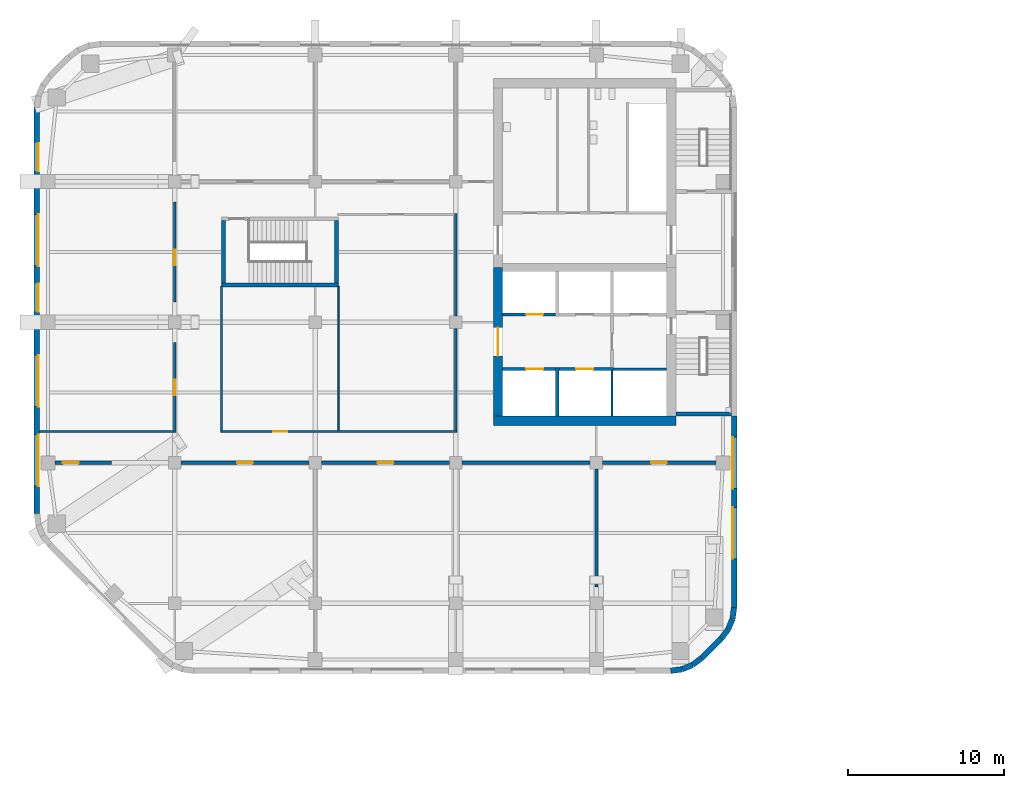
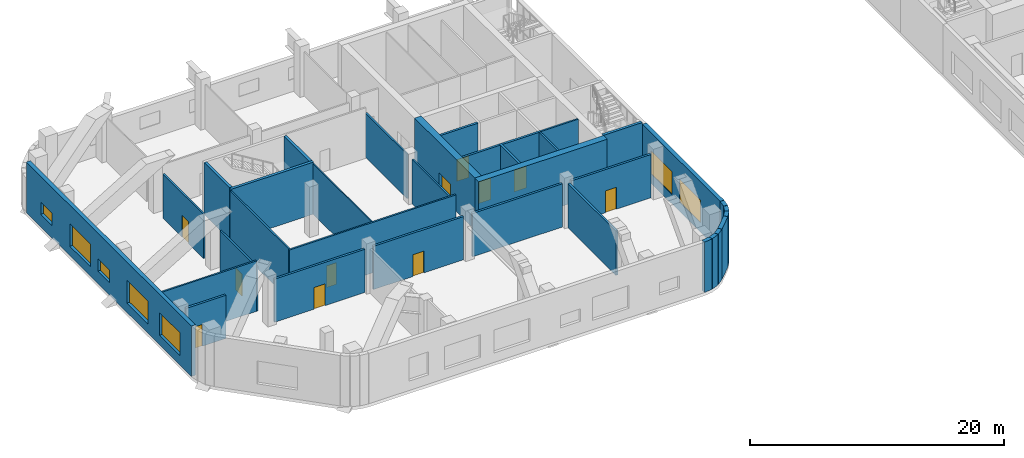
# One storey, part 12 of 23: 35 walls, 11 doors, 7 windows, 18 openings.
"""IFC4 building model written with IfcOpenShell, lengths in metres."""

from ifc_helpers import new_model, si_unit, direction, frame, frame_2d, origin, place, context, subcontext, project, spatial, rectangle, extrude, material, layer, layer_set, type_object, element, fill, save


model = new_model("IFC4")

# Units and contexts
model_context = context("Model", 3, precision=1e-05, world=origin(), true_north=direction((0.0, 1.0)))
body_context = subcontext(model_context, "Body", "Model", "MODEL_VIEW")
ifc_project = project(units=[si_unit("LENGTHUNIT", "METRE"), si_unit("AREAUNIT", "SQUARE_METRE"), si_unit("VOLUMEUNIT", "CUBIC_METRE"), si_unit("PLANEANGLEUNIT", "RADIAN"), si_unit("MASSUNIT", "GRAM", prefix="KILO")], contexts=[model_context])

# Site, building, storey
site_placement = place(None, origin())
site = spatial("IfcSite", under=ifc_project, at=site_placement, CompositionType="ELEMENT")
building_placement = place(site_placement, origin())
building = spatial("IfcBuilding", under=site, at=building_placement, Name="Cinnabar Reach Civic Tower", CompositionType="ELEMENT")
storey_placement = place(building_placement, frame((0.0, 0.0, 46.0)))
storey = spatial("IfcBuildingStorey", under=building, at=storey_placement, Name="L10", CompositionType="ELEMENT", Elevation=46.0)

# Walls
ifc_material_1 = material(Name="Facing brick with insulated backing", Category="masonry")
ifc_layer_1 = layer(ifc_material_1, 0.36)
ifc_layer_set_1 = layer_set([ifc_layer_1], Name="Brick corner wall")
wall_type_1 = type_object("IfcWallType", Name="Brick corner wall", PredefinedType="STANDARD", material=ifc_layer_set_1)
for number, where, z_axis, x_axis, name in (
    (1, (-31.2314, 4.683, 0.0), (0.0, 0.0, 1.0), (0.99144092581, 0.13055608231, 0.0), "Brick corner wall"),
    (2, (-30.5027, 4.7819, 0.0), (0.0, 0.0, 1.0), (0.923871547278, 0.382702709855, 0.0), "Brick corner wall"),
):
    element("IfcWall", number, at=place(storey_placement, frame(where, z_axis=z_axis, x_axis=x_axis)), inside=storey, type_object=wall_type_1, Name=name, PredefinedType="STANDARD", context=body_context, shape_type="SweptSolid", body=[
        extrude(rectangle(XDim=0.7131, YDim=0.36, at=frame_2d((0.3565, 0.0))), origin(), (0.0, 0.0, 1.0), 4.85),
    ])
for number, where, z_axis, x_axis, name in (
    (3, (-29.8245, 5.066, 0.0), (0.0, 0.0, 1.0), (0.793321924995, 0.608802368033, 0.0), "Brick corner wall"),
    (4, (-28.0002, 6.7587, 0.0), (0.0, 0.0, 1.0), (0.608802368033, 0.793321924995, 0.0), "Brick corner wall"),
):
    element("IfcWall", number, at=place(storey_placement, frame(where, z_axis=z_axis, x_axis=x_axis)), inside=storey, type_object=wall_type_1, Name=name, PredefinedType="STANDARD", context=body_context, shape_type="SweptSolid", body=[
        extrude(rectangle(XDim=0.7132, YDim=0.36, at=frame_2d((0.3566, 0.0))), origin(), (0.0, 0.0, 1.0), 4.85),
    ])
for number, where, z_axis, x_axis, name in (
    (5, (-27.5548, 7.3439, 0.0), (0.0, 0.0, 1.0), (0.382702709855, 0.923871547278, 0.0), "Brick corner wall"),
    (6, (-27.2761, 8.0244, 0.0), (0.0, 0.0, 1.0), (0.13055608231, 0.99144092581, 0.0), "Brick corner wall"),
):
    element("IfcWall", number, at=place(storey_placement, frame(where, z_axis=z_axis, x_axis=x_axis)), inside=storey, type_object=wall_type_1, Name=name, PredefinedType="STANDARD", context=body_context, shape_type="SweptSolid", body=[
        extrude(rectangle(XDim=0.7131, YDim=0.36, at=frame_2d((0.3565, 0.0))), origin(), (0.0, 0.0, 1.0), 4.85),
    ])
ifc_layer_2 = layer(ifc_material_1, 0.36)
ifc_layer_set_2 = layer_set([ifc_layer_2], Name="Brick pier and spandrel wall")
wall_type_2 = type_object("IfcWallType", Name="Brick pier and spandrel wall", PredefinedType="STANDARD", material=ifc_layer_set_2)
wall_1_placement = place(storey_placement, frame((-29.2486, 5.506, 0.0), z_axis=(0.0, 0.0, 1.0), x_axis=(0.707106781187, 0.707106781187, 0.0)))
element("IfcWall", 7, at=wall_1_placement, inside=storey, type_object=wall_type_2, Name="Brick facade wall", PredefinedType="STANDARD", context=body_context, shape_type="SweptSolid", body=[
    extrude(rectangle(XDim=1.7573, YDim=0.36, at=frame_2d((0.8787, 0.0))), origin(), (0.0, 0.0, 1.0), 4.85),
])

# Wall, openings, windows
wall_2_placement = place(storey_placement, frame((-27.18, 8.7426, 0.0), z_axis=(0.0, 0.0, 1.0), x_axis=(0.0, 1.0, 0.0)))
wall_2 = element("IfcWall", 8, at=wall_2_placement, inside=storey, type_object=wall_type_2, Name="Brick facade wall", PredefinedType="STANDARD", context=body_context, shape_type="SweptSolid", body=[
    extrude(rectangle(XDim=12.2574, YDim=0.36, at=frame_2d((6.1287, 0.0))), origin(), (0.0, 0.0, 1.0), 4.85),
])
opening_1_placement = place(wall_2_placement, frame((3.1074, 0.0, 0.9)))
opening_1 = element("IfcOpeningElement", 9, at=opening_1_placement, cuts=wall_2, Name="Opening W2466", PredefinedType="OPENING", context=body_context, shape_type="SweptSolid", body=[
    extrude(rectangle(XDim=3.3, YDim=2.2, at=frame_2d((1.65, 1.1))), frame((0.0, 0.19, 0.0), z_axis=(0.0, -1.0, 0.0), x_axis=(1.0, 0.0, 0.0)), (0.0, 0.0, 1.0), 0.38),
])
opening_2_placement = place(wall_2_placement, frame((7.6074, 0.0, 0.9)))
opening_2 = element("IfcOpeningElement", 10, at=opening_2_placement, cuts=wall_2, Name="Opening W2467", PredefinedType="OPENING", context=body_context, shape_type="SweptSolid", body=[
    extrude(rectangle(XDim=3.3, YDim=2.2, at=frame_2d((1.65, 1.1))), frame((0.0, 0.19, 0.0), z_axis=(0.0, -1.0, 0.0), x_axis=(1.0, 0.0, 0.0)), (0.0, 0.0, 1.0), 0.38),
])
ifc_material_2 = material(Name="Clear double glazing in aluminium frame", Category="aluminium")
window_type_1 = type_object("IfcWindowType", Name="Deep-set window B", PartitioningType="SINGLE_PANEL", PredefinedType="WINDOW", material=ifc_material_2)
window_1_placement = place(opening_1_placement, origin())
window_1 = element("IfcWindow", 11, at=window_1_placement, inside=storey, type_object=window_type_1, Name="Window east face", OverallHeight=2.2, OverallWidth=3.3, PartitioningType="SINGLE_PANEL", PredefinedType="WINDOW", context=body_context, shape_type="SweptSolid", body=[
    extrude(rectangle(XDim=3.3, YDim=2.2, at=frame_2d((1.65, 1.1))), frame((0.0, 0.13, 0.0), z_axis=(0.0, -1.0, 0.0), x_axis=(1.0, 0.0, 0.0)), (0.0, 0.0, 1.0), 0.06),
])
fill(opening_1, window_1)
window_2_placement = place(opening_2_placement, origin())
window_2 = element("IfcWindow", 12, at=window_2_placement, inside=storey, type_object=window_type_1, Name="Window east face", OverallHeight=2.2, OverallWidth=3.3, PartitioningType="SINGLE_PANEL", PredefinedType="WINDOW", context=body_context, shape_type="SweptSolid", body=[
    extrude(rectangle(XDim=3.3, YDim=2.2, at=frame_2d((1.65, 1.1))), frame((0.0, 0.13, 0.0), z_axis=(0.0, -1.0, 0.0), x_axis=(1.0, 0.0, 0.0)), (0.0, 0.0, 1.0), 0.06),
])
fill(opening_2, window_2)

wall_3_placement = place(storey_placement, frame((-71.82, 40.7574, 0.0), z_axis=(0.0, 0.0, 1.0), x_axis=(0.0, -1.0, 0.0)))
wall_3 = element("IfcWall", 13, at=wall_3_placement, inside=storey, type_object=wall_type_2, Name="Brick facade wall", PredefinedType="STANDARD", context=body_context, shape_type="SweptSolid", body=[
    extrude(rectangle(XDim=26.0148, YDim=0.36, at=frame_2d((13.0074, 0.0))), origin(), (0.0, 0.0, 1.0), 4.85),
])
opening_3_placement = place(wall_3_placement, frame((2.2824, 0.0, 1.2)))
opening_3 = element("IfcOpeningElement", 14, at=opening_3_placement, cuts=wall_3, Name="Opening W2476", PredefinedType="OPENING", context=body_context, shape_type="SweptSolid", body=[
    extrude(rectangle(XDim=1.8, YDim=1.2, at=frame_2d((0.9, 0.6))), frame((0.0, 0.19, 0.0), z_axis=(0.0, -1.0, 0.0), x_axis=(1.0, 0.0, 0.0)), (0.0, 0.0, 1.0), 0.38),
])
opening_4_placement = place(wall_3_placement, frame((6.8574, 0.0, 0.9)))
opening_4 = element("IfcOpeningElement", 15, at=opening_4_placement, cuts=wall_3, Name="Opening W2477", PredefinedType="OPENING", context=body_context, shape_type="SweptSolid", body=[
    extrude(rectangle(XDim=3.3, YDim=2.2, at=frame_2d((1.65, 1.1))), frame((0.0, 0.19, 0.0), z_axis=(0.0, -1.0, 0.0), x_axis=(1.0, 0.0, 0.0)), (0.0, 0.0, 1.0), 0.38),
])
opening_5_placement = place(wall_3_placement, frame((11.2824, 0.0, 1.2)))
opening_5 = element("IfcOpeningElement", 16, at=opening_5_placement, cuts=wall_3, Name="Opening W2478", PredefinedType="OPENING", context=body_context, shape_type="SweptSolid", body=[
    extrude(rectangle(XDim=1.8, YDim=1.2, at=frame_2d((0.9, 0.6))), frame((0.0, 0.19, 0.0), z_axis=(0.0, -1.0, 0.0), x_axis=(1.0, 0.0, 0.0)), (0.0, 0.0, 1.0), 0.38),
])
opening_6_placement = place(wall_3_placement, frame((15.8574, 0.0, 0.9)))
opening_6 = element("IfcOpeningElement", 17, at=opening_6_placement, cuts=wall_3, Name="Opening W2479", PredefinedType="OPENING", context=body_context, shape_type="SweptSolid", body=[
    extrude(rectangle(XDim=3.3, YDim=2.2, at=frame_2d((1.65, 1.1))), frame((0.0, 0.19, 0.0), z_axis=(0.0, -1.0, 0.0), x_axis=(1.0, 0.0, 0.0)), (0.0, 0.0, 1.0), 0.38),
])
opening_7_placement = place(wall_3_placement, frame((20.9574, 0.0, 0.9)))
opening_7 = element("IfcOpeningElement", 18, at=opening_7_placement, cuts=wall_3, Name="Opening W2480", PredefinedType="OPENING", context=body_context, shape_type="SweptSolid", body=[
    extrude(rectangle(XDim=3.3, YDim=2.2, at=frame_2d((1.65, 1.1))), frame((0.0, 0.19, 0.0), z_axis=(0.0, -1.0, 0.0), x_axis=(1.0, 0.0, 0.0)), (0.0, 0.0, 1.0), 0.38),
])
window_3_placement = place(opening_4_placement, origin())
window_3 = element("IfcWindow", 19, at=window_3_placement, inside=storey, type_object=window_type_1, Name="Window west face", OverallHeight=2.2, OverallWidth=3.3, PartitioningType="SINGLE_PANEL", PredefinedType="WINDOW", context=body_context, shape_type="SweptSolid", body=[
    extrude(rectangle(XDim=3.3, YDim=2.2, at=frame_2d((1.65, 1.1))), frame((0.0, 0.13, 0.0), z_axis=(0.0, -1.0, 0.0), x_axis=(1.0, 0.0, 0.0)), (0.0, 0.0, 1.0), 0.06),
])
fill(opening_4, window_3)
window_4_placement = place(opening_6_placement, origin())
window_4 = element("IfcWindow", 20, at=window_4_placement, inside=storey, type_object=window_type_1, Name="Window west face", OverallHeight=2.2, OverallWidth=3.3, PartitioningType="SINGLE_PANEL", PredefinedType="WINDOW", context=body_context, shape_type="SweptSolid", body=[
    extrude(rectangle(XDim=3.3, YDim=2.2, at=frame_2d((1.65, 1.1))), frame((0.0, 0.13, 0.0), z_axis=(0.0, -1.0, 0.0), x_axis=(1.0, 0.0, 0.0)), (0.0, 0.0, 1.0), 0.06),
])
fill(opening_6, window_4)
window_5_placement = place(opening_7_placement, origin())
window_5 = element("IfcWindow", 21, at=window_5_placement, inside=storey, type_object=window_type_1, Name="Window west face", OverallHeight=2.2, OverallWidth=3.3, PartitioningType="SINGLE_PANEL", PredefinedType="WINDOW", context=body_context, shape_type="SweptSolid", body=[
    extrude(rectangle(XDim=3.3, YDim=2.2, at=frame_2d((1.65, 1.1))), frame((0.0, 0.13, 0.0), z_axis=(0.0, -1.0, 0.0), x_axis=(1.0, 0.0, 0.0)), (0.0, 0.0, 1.0), 0.06),
])
fill(opening_7, window_5)
window_type_2 = type_object("IfcWindowType", Name="Deep-set window C", PartitioningType="SINGLE_PANEL", PredefinedType="WINDOW", material=ifc_material_2)
window_6_placement = place(opening_3_placement, origin())
window_6 = element("IfcWindow", 22, at=window_6_placement, inside=storey, type_object=window_type_2, Name="Window west face", OverallHeight=1.2, OverallWidth=1.8, PartitioningType="SINGLE_PANEL", PredefinedType="WINDOW", context=body_context, shape_type="SweptSolid", body=[
    extrude(rectangle(XDim=1.8, YDim=1.2, at=frame_2d((0.9, 0.6))), frame((0.0, 0.13, 0.0), z_axis=(0.0, -1.0, 0.0), x_axis=(1.0, 0.0, 0.0)), (0.0, 0.0, 1.0), 0.06),
])
fill(opening_3, window_6)
window_7_placement = place(opening_5_placement, origin())
window_7 = element("IfcWindow", 23, at=window_7_placement, inside=storey, type_object=window_type_2, Name="Window west face", OverallHeight=1.2, OverallWidth=1.8, PartitioningType="SINGLE_PANEL", PredefinedType="WINDOW", context=body_context, shape_type="SweptSolid", body=[
    extrude(rectangle(XDim=1.8, YDim=1.2, at=frame_2d((0.9, 0.6))), frame((0.0, 0.13, 0.0), z_axis=(0.0, -1.0, 0.0), x_axis=(1.0, 0.0, 0.0)), (0.0, 0.0, 1.0), 0.06),
])
fill(opening_5, window_7)

# Wall
ifc_material_3 = material(Name="Concrete C70", Category="concrete")
ifc_layer_3 = layer(ifc_material_3, 0.6)
ifc_layer_set_3 = layer_set([ifc_layer_3], Name="Core wall 600 EI 180")
wall_type_3 = type_object("IfcWallType", Name="Core wall 600 EI 180", PredefinedType="SOLIDWALL", material=ifc_layer_set_3)
wall_4_placement = place(storey_placement, frame((-42.6, 20.7, 0.0), z_axis=(0.0, 0.0, 1.0), x_axis=(1.0, 0.0, 0.0)))
element("IfcWall", 24, at=wall_4_placement, inside=storey, type_object=wall_type_3, Name="Core wall T2 L10 S", PredefinedType="SOLIDWALL", context=body_context, shape_type="SweptSolid", body=[
    extrude(rectangle(XDim=11.7, YDim=0.6, at=frame_2d((5.85, 0.0))), origin(), (0.0, 0.0, 1.0), 5.0),
])

# Wall, opening, door
wall_5_placement = place(storey_placement, frame((-42.3, 30.5, 0.0), z_axis=(0.0, 0.0, 1.0), x_axis=(0.0, -1.0, 0.0)))
wall_5 = element("IfcWall", 25, at=wall_5_placement, inside=storey, type_object=wall_type_3, Name="Core wall T2 L10 W2", PredefinedType="SOLIDWALL", context=body_context, shape_type="SweptSolid", body=[
    extrude(rectangle(XDim=9.5, YDim=0.6, at=frame_2d((4.75, 0.0))), origin(), (0.0, 0.0, 1.0), 5.0),
])
opening_8_placement = place(wall_5_placement, frame((3.85, 0.0, 0.0)))
opening_8 = element("IfcOpeningElement", 26, at=opening_8_placement, cuts=wall_5, Name="Opening D6380", PredefinedType="OPENING", context=body_context, shape_type="SweptSolid", body=[
    extrude(rectangle(XDim=1.8, YDim=2.1, at=frame_2d((0.9, 1.05))), frame((0.0, 0.31, 0.0), z_axis=(0.0, -1.0, 0.0), x_axis=(1.0, 0.0, 0.0)), (0.0, 0.0, 1.0), 0.62),
])
ifc_material_4 = material(Name="Steel fire door", Category="steel")
door_type_1 = type_object("IfcDoorType", Name="T2 Double door 1800", OperationType="DOUBLE_DOOR_SINGLE_SWING", PredefinedType="DOOR", material=ifc_material_4)
door_1_placement = place(opening_8_placement, origin())
door_1 = element("IfcDoor", 27, at=door_1_placement, inside=storey, type_object=door_type_1, Name="T2 Double door D6380", OperationType="DOUBLE_DOOR_SINGLE_SWING", OverallHeight=2.1, OverallWidth=1.8, PredefinedType="DOOR", context=body_context, shape_type="SweptSolid", body=[
    extrude(rectangle(XDim=1.8, YDim=2.1, at=frame_2d((0.9, 1.05))), frame((0.0, 0.025, 0.0), z_axis=(0.0, -1.0, 0.0), x_axis=(1.0, 0.0, 0.0)), (0.0, 0.0, 1.0), 0.05),
])
fill(opening_8, door_1)

ifc_material_5 = material(Name="Gypsum board on steel studs, double layer", Category="steel")
ifc_layer_4 = layer(ifc_material_5, 0.15)
ifc_layer_set_4 = layer_set([ifc_layer_4], Name="Corridor wall 150 T2")
wall_type_4 = type_object("IfcWallType", Name="Corridor wall 150 T2", PredefinedType="PARTITIONING", material=ifc_layer_set_4)
wall_6_placement = place(storey_placement, frame((-63.0, 19.925, 0.0), z_axis=(0.0, 0.0, 1.0), x_axis=(0.0, 1.0, 0.0)))
wall_6 = element("IfcWall", 28, at=wall_6_placement, inside=storey, type_object=wall_type_4, Name="Corridor wall 12", PredefinedType="PARTITIONING", context=body_context, shape_type="SweptSolid", body=[
    extrude(rectangle(XDim=5.775, YDim=0.15, at=frame_2d((2.8875, 0.0))), origin(), (0.0, 0.0, 1.0), 4.256),
])
opening_9_placement = place(wall_6_placement, frame((2.4, 0.0, 0.0)))
opening_9 = element("IfcOpeningElement", 29, at=opening_9_placement, cuts=wall_6, Name="Opening D6391", PredefinedType="OPENING", context=body_context, shape_type="SweptSolid", body=[
    extrude(rectangle(XDim=1.0, YDim=2.1, at=frame_2d((0.5, 1.05))), frame((0.0, 0.085, 0.0), z_axis=(0.0, -1.0, 0.0), x_axis=(1.0, 0.0, 0.0)), (0.0, 0.0, 1.0), 0.17),
])
ifc_material_6 = material(Name="Timber door leaf in steel frame", Category="steel")
door_type_2 = type_object("IfcDoorType", Name="Plant room door 1000 x 2100 T2", OperationType="SINGLE_SWING_LEFT", PredefinedType="DOOR", material=ifc_material_6)
door_2_placement = place(opening_9_placement, origin())
door_2 = element("IfcDoor", 30, at=door_2_placement, inside=storey, type_object=door_type_2, Name="Door D6391", OperationType="SINGLE_SWING_LEFT", OverallHeight=2.1, OverallWidth=1.0, PredefinedType="DOOR", context=body_context, shape_type="SweptSolid", body=[
    extrude(rectangle(XDim=1.0, YDim=2.1, at=frame_2d((0.5, 1.05))), frame((0.0, 0.025, 0.0), z_axis=(0.0, -1.0, 0.0), x_axis=(1.0, 0.0, 0.0)), (0.0, 0.0, 1.0), 0.05),
])
fill(opening_9, door_2)

wall_7_placement = place(storey_placement, frame((-63.0, 28.3, 0.0), z_axis=(0.0, 0.0, 1.0), x_axis=(0.0, 1.0, 0.0)))
wall_7 = element("IfcWall", 31, at=wall_7_placement, inside=storey, type_object=wall_type_4, Name="Corridor wall 13", PredefinedType="PARTITIONING", context=body_context, shape_type="SweptSolid", body=[
    extrude(rectangle(XDim=6.4, YDim=0.15, at=frame_2d((3.2, 0.0))), origin(), (0.0, 0.0, 1.0), 4.25),
])
opening_10_placement = place(wall_7_placement, frame((2.35, 0.0, 0.0)))
opening_10 = element("IfcOpeningElement", 32, at=opening_10_placement, cuts=wall_7, Name="Opening D6392", PredefinedType="OPENING", context=body_context, shape_type="SweptSolid", body=[
    extrude(rectangle(XDim=1.0, YDim=2.1, at=frame_2d((0.5, 1.05))), frame((0.0, 0.085, 0.0), z_axis=(0.0, -1.0, 0.0), x_axis=(1.0, 0.0, 0.0)), (0.0, 0.0, 1.0), 0.17),
])
door_3_placement = place(opening_10_placement, origin())
door_3 = element("IfcDoor", 33, at=door_3_placement, inside=storey, type_object=door_type_2, Name="Door D6392", OperationType="SINGLE_SWING_LEFT", OverallHeight=2.1, OverallWidth=1.0, PredefinedType="DOOR", context=body_context, shape_type="SweptSolid", body=[
    extrude(rectangle(XDim=1.0, YDim=2.1, at=frame_2d((0.5, 1.05))), frame((0.0, 0.025, 0.0), z_axis=(0.0, -1.0, 0.0), x_axis=(1.0, 0.0, 0.0)), (0.0, 0.0, 1.0), 0.05),
])
fill(opening_10, door_3)

wall_8_placement = place(storey_placement, frame((-60.075, 20.0, 0.0), z_axis=(0.0, 0.0, 1.0), x_axis=(1.0, 0.0, 0.0)))
wall_8 = element("IfcWall", 34, at=wall_8_placement, inside=storey, type_object=wall_type_4, Name="Corridor wall 14", PredefinedType="PARTITIONING", context=body_context, shape_type="SweptSolid", body=[
    extrude(rectangle(XDim=15.15, YDim=0.15, at=frame_2d((7.575, 0.0))), origin(), (0.0, 0.0, 1.0), 4.85),
])
opening_11_placement = place(wall_8_placement, frame((3.4, 0.0, 0.0)))
opening_11 = element("IfcOpeningElement", 35, at=opening_11_placement, cuts=wall_8, Name="Opening D6393", PredefinedType="OPENING", context=body_context, shape_type="SweptSolid", body=[
    extrude(rectangle(XDim=0.9, YDim=2.1, at=frame_2d((0.45, 1.05))), frame((0.0, 0.085, 0.0), z_axis=(0.0, -1.0, 0.0), x_axis=(1.0, 0.0, 0.0)), (0.0, 0.0, 1.0), 0.17),
])
door_type_3 = type_object("IfcDoorType", Name="Single swing door 900 x 2100 T2", OperationType="SINGLE_SWING_LEFT", PredefinedType="DOOR", material=ifc_material_6)
door_4_placement = place(opening_11_placement, frame((0.9, 0.0, 0.0), z_axis=(0.0, 0.0, 1.0), x_axis=(-1.0, 0.0, 0.0)))
door_4 = element("IfcDoor", 36, at=door_4_placement, inside=storey, type_object=door_type_3, Name="Door D6393", OperationType="SINGLE_SWING_RIGHT", OverallHeight=2.1, OverallWidth=0.9, PredefinedType="DOOR", context=body_context, shape_type="SweptSolid", body=[
    extrude(rectangle(XDim=0.9, YDim=2.1, at=frame_2d((0.45, 1.05))), frame((0.0, 0.025, 0.0), z_axis=(0.0, -1.0, 0.0), x_axis=(1.0, 0.0, 0.0)), (0.0, 0.0, 1.0), 0.05),
])
fill(opening_11, door_4)

# Walls
wall_9_placement = place(storey_placement, frame((-45.0, 20.075, 0.0), z_axis=(0.0, 0.0, 1.0), x_axis=(0.0, 1.0, 0.0)))
element("IfcWall", 37, at=wall_9_placement, inside=storey, type_object=wall_type_4, Name="Corridor wall 15", PredefinedType="PARTITIONING", context=body_context, shape_type="SweptSolid", body=[
    extrude(rectangle(XDim=6.525, YDim=0.15, at=frame_2d((3.2625, 0.0))), origin(), (0.0, 0.0, 1.0), 4.256),
])
wall_10_placement = place(storey_placement, frame((-45.0, 27.4, 0.0), z_axis=(0.0, 0.0, 1.0), x_axis=(0.0, 1.0, 0.0)))
element("IfcWall", 38, at=wall_10_placement, inside=storey, type_object=wall_type_4, Name="Corridor wall 16", PredefinedType="PARTITIONING", context=body_context, shape_type="SweptSolid", body=[
    extrude(rectangle(XDim=6.575, YDim=0.15, at=frame_2d((3.2875, 0.0))), origin(), (0.0, 0.0, 1.0), 4.256),
])
wall_11_placement = place(storey_placement, frame((-60.0, 20.075, 0.0), z_axis=(0.0, 0.0, 1.0), x_axis=(0.0, 1.0, 0.0)))
element("IfcWall", 39, at=wall_11_placement, inside=storey, type_object=wall_type_4, Name="Corridor wall 17", PredefinedType="PARTITIONING", context=body_context, shape_type="SweptSolid", body=[
    extrude(rectangle(XDim=9.25, YDim=0.15, at=frame_2d((4.625, 0.0))), origin(), (0.0, 0.0, 1.0), 4.85),
])
wall_12_placement = place(storey_placement, frame((-71.64, 20.0, 0.0), z_axis=(0.0, 0.0, 1.0), x_axis=(1.0, 0.0, 0.0)))
element("IfcWall", 40, at=wall_12_placement, inside=storey, type_object=wall_type_4, Name="Corridor wall 18", PredefinedType="PARTITIONING", context=body_context, shape_type="SweptSolid", body=[
    extrude(rectangle(XDim=8.565, YDim=0.15, at=frame_2d((4.2825, 0.0))), origin(), (0.0, 0.0, 1.0), 4.85),
])
ifc_material_7 = material(Name="Gypsum board on steel studs", Category="steel")
ifc_layer_5 = layer(ifc_material_7, 0.1)
ifc_layer_set_5 = layer_set([ifc_layer_5], Name="Partition wall 100 T2")
wall_type_5 = type_object("IfcWallType", Name="Partition wall 100 T2", PredefinedType="PARTITIONING", material=ifc_layer_set_5)
wall_13_placement = place(storey_placement, frame((-52.5, 20.075, 0.0), z_axis=(0.0, 0.0, 1.0), x_axis=(0.0, 1.0, 0.0)))
element("IfcWall", 41, at=wall_13_placement, inside=storey, type_object=wall_type_5, Name="Partition wall 20", PredefinedType="PARTITIONING", context=body_context, shape_type="SweptSolid", body=[
    extrude(rectangle(XDim=9.225, YDim=0.1, at=frame_2d((4.6125, 0.0))), origin(), (0.0, 0.0, 1.0), 4.85),
])

# Wall, opening, door
ifc_material_8 = material(Name="Concrete C40", Category="concrete")
ifc_layer_6 = layer(ifc_material_8, 0.2)
ifc_layer_set_6 = layer_set([ifc_layer_6], Name="Refuge compartment wall 200 T2")
wall_type_6 = type_object("IfcWallType", Name="Refuge compartment wall 200 T2", PredefinedType="PARTITIONING", material=ifc_layer_set_6)
wall_14_placement = place(storey_placement, frame((-35.6, 18.0, 0.0), z_axis=(0.0, 0.0, 1.0), x_axis=(1.0, 0.0, 0.0)))
wall_14 = element("IfcWall", 42, at=wall_14_placement, inside=storey, type_object=wall_type_6, Name="Refuge compartment wall 1", PredefinedType="PARTITIONING", context=body_context, shape_type="SweptSolid", body=[
    extrude(rectangle(XDim=7.25, YDim=0.2, at=frame_2d((3.625, 0.0))), origin(), (0.0, 0.0, 1.0), 4.158),
])
opening_12_placement = place(wall_14_placement, frame((3.1, 0.0, 0.0)))
opening_12 = element("IfcOpeningElement", 43, at=opening_12_placement, cuts=wall_14, Name="Opening D6388", PredefinedType="OPENING", context=body_context, shape_type="SweptSolid", body=[
    extrude(rectangle(XDim=1.0, YDim=2.1, at=frame_2d((0.5, 1.05))), frame((0.0, 0.11, 0.0), z_axis=(0.0, -1.0, 0.0), x_axis=(1.0, 0.0, 0.0)), (0.0, 0.0, 1.0), 0.22),
])
door_type_4 = type_object("IfcDoorType", Name="Refuge door 1000 x 2100 T2", OperationType="SINGLE_SWING_LEFT", PredefinedType="DOOR", material=ifc_material_6)
door_5_placement = place(opening_12_placement, origin())
door_5 = element("IfcDoor", 44, at=door_5_placement, inside=storey, type_object=door_type_4, Name="Door D6388", OperationType="SINGLE_SWING_RIGHT", OverallHeight=2.1, OverallWidth=1.0, PredefinedType="DOOR", context=body_context, shape_type="SweptSolid", body=[
    extrude(rectangle(XDim=1.0, YDim=2.1, at=frame_2d((0.5, 1.05))), frame((0.0, 0.025, 0.0), z_axis=(0.0, -1.0, 0.0), x_axis=(1.0, 0.0, 0.0)), (0.0, 0.0, 1.0), 0.05),
])
fill(opening_12, door_5)

# Wall
wall_15_placement = place(storey_placement, frame((-44.6, 18.0, 0.0), z_axis=(0.0, 0.0, 1.0), x_axis=(1.0, 0.0, 0.0)))
element("IfcWall", 45, at=wall_15_placement, inside=storey, type_object=wall_type_6, Name="Refuge compartment wall 2", PredefinedType="PARTITIONING", context=body_context, shape_type="SweptSolid", body=[
    extrude(rectangle(XDim=8.2, YDim=0.2, at=frame_2d((4.1, 0.0))), origin(), (0.0, 0.0, 1.0), 4.158),
])

# Wall, opening, door
wall_16_placement = place(storey_placement, frame((-53.6, 18.0, 0.0), z_axis=(0.0, 0.0, 1.0), x_axis=(1.0, 0.0, 0.0)))
wall_16 = element("IfcWall", 46, at=wall_16_placement, inside=storey, type_object=wall_type_6, Name="Refuge compartment wall 3", PredefinedType="PARTITIONING", context=body_context, shape_type="SweptSolid", body=[
    extrude(rectangle(XDim=8.2, YDim=0.2, at=frame_2d((4.1, 0.0))), origin(), (0.0, 0.0, 1.0), 4.158),
])
opening_13_placement = place(wall_16_placement, frame((3.6, 0.0, 0.0)))
opening_13 = element("IfcOpeningElement", 47, at=opening_13_placement, cuts=wall_16, Name="Opening D6387", PredefinedType="OPENING", context=body_context, shape_type="SweptSolid", body=[
    extrude(rectangle(XDim=1.0, YDim=2.1, at=frame_2d((0.5, 1.05))), frame((0.0, 0.11, 0.0), z_axis=(0.0, -1.0, 0.0), x_axis=(1.0, 0.0, 0.0)), (0.0, 0.0, 1.0), 0.22),
])
door_6_placement = place(opening_13_placement, origin())
door_6 = element("IfcDoor", 48, at=door_6_placement, inside=storey, type_object=door_type_4, Name="Door D6387", OperationType="SINGLE_SWING_LEFT", OverallHeight=2.1, OverallWidth=1.0, PredefinedType="DOOR", context=body_context, shape_type="SweptSolid", body=[
    extrude(rectangle(XDim=1.0, YDim=2.1, at=frame_2d((0.5, 1.05))), frame((0.0, 0.025, 0.0), z_axis=(0.0, -1.0, 0.0), x_axis=(1.0, 0.0, 0.0)), (0.0, 0.0, 1.0), 0.05),
])
fill(opening_13, door_6)

wall_17_placement = place(storey_placement, frame((-62.6, 18.0, 0.0), z_axis=(0.0, 0.0, 1.0), x_axis=(1.0, 0.0, 0.0)))
wall_17 = element("IfcWall", 49, at=wall_17_placement, inside=storey, type_object=wall_type_6, Name="Refuge compartment wall 4", PredefinedType="PARTITIONING", context=body_context, shape_type="SweptSolid", body=[
    extrude(rectangle(XDim=8.2, YDim=0.2, at=frame_2d((4.1, 0.0))), origin(), (0.0, 0.0, 1.0), 4.158),
])
opening_14_placement = place(wall_17_placement, frame((3.6, 0.0, 0.0)))
opening_14 = element("IfcOpeningElement", 50, at=opening_14_placement, cuts=wall_17, Name="Opening D6386", PredefinedType="OPENING", context=body_context, shape_type="SweptSolid", body=[
    extrude(rectangle(XDim=1.0, YDim=2.1, at=frame_2d((0.5, 1.05))), frame((0.0, 0.11, 0.0), z_axis=(0.0, -1.0, 0.0), x_axis=(1.0, 0.0, 0.0)), (0.0, 0.0, 1.0), 0.22),
])
door_7_placement = place(opening_14_placement, origin())
door_7 = element("IfcDoor", 51, at=door_7_placement, inside=storey, type_object=door_type_4, Name="Door D6386", OperationType="SINGLE_SWING_LEFT", OverallHeight=2.1, OverallWidth=1.0, PredefinedType="DOOR", context=body_context, shape_type="SweptSolid", body=[
    extrude(rectangle(XDim=1.0, YDim=2.1, at=frame_2d((0.5, 1.05))), frame((0.0, 0.025, 0.0), z_axis=(0.0, -1.0, 0.0), x_axis=(1.0, 0.0, 0.0)), (0.0, 0.0, 1.0), 0.05),
])
fill(opening_14, door_7)

wall_18_placement = place(storey_placement, frame((-70.65, 18.0, 0.0), z_axis=(0.0, 0.0, 1.0), x_axis=(1.0, 0.0, 0.0)))
wall_18 = element("IfcWall", 52, at=wall_18_placement, inside=storey, type_object=wall_type_6, Name="Refuge compartment wall 5", PredefinedType="PARTITIONING", context=body_context, shape_type="SweptSolid", body=[
    extrude(rectangle(XDim=3.6066, YDim=0.2, at=frame_2d((1.8033, 0.0))), origin(), (0.0, 0.0, 1.0), 4.158),
])
opening_15_placement = place(wall_18_placement, frame((0.5, 0.0, 0.0)))
opening_15 = element("IfcOpeningElement", 53, at=opening_15_placement, cuts=wall_18, Name="Opening D6396", PredefinedType="OPENING", context=body_context, shape_type="SweptSolid", body=[
    extrude(rectangle(XDim=1.0, YDim=2.1, at=frame_2d((0.5, 1.05))), frame((0.0, 0.11, 0.0), z_axis=(0.0, -1.0, 0.0), x_axis=(1.0, 0.0, 0.0)), (0.0, 0.0, 1.0), 0.22),
])
door_8_placement = place(opening_15_placement, origin())
door_8 = element("IfcDoor", 54, at=door_8_placement, inside=storey, type_object=door_type_4, Name="Door D6396", OperationType="SINGLE_SWING_LEFT", OverallHeight=2.1, OverallWidth=1.0, PredefinedType="DOOR", context=body_context, shape_type="SweptSolid", body=[
    extrude(rectangle(XDim=1.0, YDim=2.1, at=frame_2d((0.5, 1.05))), frame((0.0, 0.025, 0.0), z_axis=(0.0, -1.0, 0.0), x_axis=(1.0, 0.0, 0.0)), (0.0, 0.0, 1.0), 0.05),
])
fill(opening_15, door_8)

# Walls
wall_19_placement = place(storey_placement, frame((-36.0, 10.0392, 0.0), z_axis=(0.0, 0.0, 1.0), x_axis=(0.0, 1.0, 0.0)))
element("IfcWall", 55, at=wall_19_placement, inside=storey, type_object=wall_type_6, Name="Refuge compartment wall 8", PredefinedType="PARTITIONING", context=body_context, shape_type="SweptSolid", body=[
    extrude(rectangle(XDim=7.5608, YDim=0.2, at=frame_2d((3.7804, 0.0))), origin(), (0.0, 0.0, 1.0), 4.256),
])
ifc_material_9 = material(Name="Concrete C60", Category="concrete")
ifc_layer_7 = layer(ifc_material_9, 0.25)
ifc_layer_set_7 = layer_set([ifc_layer_7], Name="Stair shaft wall 250 EI 120")
wall_type_7 = type_object("IfcWallType", Name="Stair shaft wall 250 EI 120", PredefinedType="SOLIDWALL", material=ifc_layer_set_7)
wall_20_placement = place(storey_placement, frame((-30.9, 21.125, 0.0), z_axis=(0.0, 0.0, 1.0), x_axis=(1.0, 0.0, 0.0)))
element("IfcWall", 56, at=wall_20_placement, inside=storey, type_object=wall_type_7, Name="Stair shaft wall T2-S1 L10", PredefinedType="SOLIDWALL", context=body_context, shape_type="SweptSolid", body=[
    extrude(rectangle(XDim=3.54, YDim=0.25, at=frame_2d((1.77, 0.0))), origin(), (0.0, 0.0, 1.0), 5.0),
])
wall_21_placement = place(storey_placement, frame((-60.0, 29.375, 0.0), z_axis=(0.0, 0.0, 1.0), x_axis=(1.0, 0.0, 0.0)))
element("IfcWall", 57, at=wall_21_placement, inside=storey, type_object=wall_type_7, Name="Stair shaft wall T2-S3 L10", PredefinedType="SOLIDWALL", context=body_context, shape_type="SweptSolid", body=[
    extrude(rectangle(XDim=7.5, YDim=0.25, at=frame_2d((3.75, 0.0))), origin(), (0.0, 0.0, 1.0), 5.0),
])
for number, where, z_axis, x_axis, name in (
    (58, (-52.625, 29.5, 0.0), (0.0, 0.0, 1.0), (0.0, 1.0, 0.0), "Stair shaft wall T2-S3 L10"),
    (59, (-59.875, 33.5, 0.0), (0.0, 0.0, 1.0), (0.0, -1.0, 0.0), "Stair shaft wall T2-S3 L10"),
):
    element("IfcWall", number, at=place(storey_placement, frame(where, z_axis=z_axis, x_axis=x_axis)), inside=storey, type_object=wall_type_7, Name=name, PredefinedType="SOLIDWALL", context=body_context, shape_type="SweptSolid", body=[
        extrude(rectangle(XDim=4.0, YDim=0.25, at=frame_2d((2.0, 0.0))), origin(), (0.0, 0.0, 1.0), 5.0),
    ])
ifc_layer_8 = layer(ifc_material_8, 0.15)
ifc_layer_set_8 = layer_set([ifc_layer_8], Name="T2 Riser wall 150")
wall_type_8 = type_object("IfcWallType", Name="T2 Riser wall 150", PredefinedType="SOLIDWALL", material=ifc_layer_set_8)
wall_22_placement = place(storey_placement, frame((-35.0, 21.0, 0.0), z_axis=(0.0, 0.0, 1.0), x_axis=(0.0, 1.0, 0.0)))
element("IfcWall", 60, at=wall_22_placement, inside=storey, type_object=wall_type_8, Name="T2 Riser wall L10 010", PredefinedType="SOLIDWALL", context=body_context, shape_type="SweptSolid", body=[
    extrude(rectangle(XDim=2.9, YDim=0.15, at=frame_2d((1.45, 0.0))), origin(), (0.0, 0.0, 1.0), 5.0),
])
wall_23_placement = place(storey_placement, frame((-31.5, 24.0, 0.0), z_axis=(0.0, 0.0, 1.0), x_axis=(-1.0, 0.0, 0.0)))
element("IfcWall", 61, at=wall_23_placement, inside=storey, type_object=wall_type_8, Name="T2 Riser wall L10 011", PredefinedType="SOLIDWALL", context=body_context, shape_type="SweptSolid", body=[
    extrude(rectangle(XDim=3.4, YDim=0.15, at=frame_2d((1.7, 0.0))), origin(), (0.0, 0.0, 1.0), 5.0),
])
ifc_layer_9 = layer(ifc_material_8, 0.2)
ifc_layer_set_9 = layer_set([ifc_layer_9], Name="T2 Shaft wall 200")
wall_type_9 = type_object("IfcWallType", Name="T2 Shaft wall 200", PredefinedType="SOLIDWALL", material=ifc_layer_set_9)
wall_24_placement = place(storey_placement, frame((-38.5, 21.0, 0.0), z_axis=(0.0, 0.0, 1.0), x_axis=(0.0, 1.0, 0.0)))
element("IfcWall", 62, at=wall_24_placement, inside=storey, type_object=wall_type_9, Name="T2 Shaft wall L10 001", PredefinedType="SOLIDWALL", context=body_context, shape_type="SweptSolid", body=[
    extrude(rectangle(XDim=3.1, YDim=0.2, at=frame_2d((1.55, 0.0))), origin(), (0.0, 0.0, 1.0), 5.0),
])

# Wall, opening, door
wall_25_placement = place(storey_placement, frame((-38.6, 24.0, 0.0), z_axis=(0.0, 0.0, 1.0), x_axis=(-1.0, 0.0, 0.0)))
wall_25 = element("IfcWall", 63, at=wall_25_placement, inside=storey, type_object=wall_type_9, Name="T2 Shaft wall L10 002", PredefinedType="SOLIDWALL", context=body_context, shape_type="SweptSolid", body=[
    extrude(rectangle(XDim=3.4, YDim=0.2, at=frame_2d((1.7, 0.0))), origin(), (0.0, 0.0, 1.0), 5.0),
])
opening_16_placement = place(wall_25_placement, frame((0.8, 0.0, 0.0)))
opening_16 = element("IfcOpeningElement", 64, at=opening_16_placement, cuts=wall_25, Name="Opening D6370", PredefinedType="OPENING", context=body_context, shape_type="SweptSolid", body=[
    extrude(rectangle(XDim=1.1, YDim=2.1, at=frame_2d((0.55, 1.05))), frame((0.0, 0.11, 0.0), z_axis=(0.0, -1.0, 0.0), x_axis=(1.0, 0.0, 0.0)), (0.0, 0.0, 1.0), 0.22),
])
door_type_5 = type_object("IfcDoorType", Name="T2 Lift landing door 1100", OperationType="SLIDING_TO_LEFT", PredefinedType="DOOR", material=ifc_material_4)
door_9_placement = place(opening_16_placement, origin())
door_9 = element("IfcDoor", 65, at=door_9_placement, inside=storey, type_object=door_type_5, Name="T2 Lift landing door D6370", OperationType="SLIDING_TO_LEFT", OverallHeight=2.1, OverallWidth=1.1, PredefinedType="DOOR", context=body_context, shape_type="SweptSolid", body=[
    extrude(rectangle(XDim=1.1, YDim=2.1, at=frame_2d((0.55, 1.05))), frame((0.0, 0.025, 0.0), z_axis=(0.0, -1.0, 0.0), x_axis=(1.0, 0.0, 0.0)), (0.0, 0.0, 1.0), 0.05),
])
fill(opening_16, door_9)

wall_26_placement = place(storey_placement, frame((-34.9, 24.0, 0.0), z_axis=(0.0, 0.0, 1.0), x_axis=(-1.0, 0.0, 0.0)))
wall_26 = element("IfcWall", 66, at=wall_26_placement, inside=storey, type_object=wall_type_9, Name="T2 Shaft wall L10 003", PredefinedType="SOLIDWALL", context=body_context, shape_type="SweptSolid", body=[
    extrude(rectangle(XDim=3.5, YDim=0.2, at=frame_2d((1.75, 0.0))), origin(), (0.0, 0.0, 1.0), 5.0),
])
opening_17_placement = place(wall_26_placement, frame((1.3, 0.0, 0.0)))
opening_17 = element("IfcOpeningElement", 67, at=opening_17_placement, cuts=wall_26, Name="Opening D6371", PredefinedType="OPENING", context=body_context, shape_type="SweptSolid", body=[
    extrude(rectangle(XDim=1.1, YDim=2.1, at=frame_2d((0.55, 1.05))), frame((0.0, 0.11, 0.0), z_axis=(0.0, -1.0, 0.0), x_axis=(1.0, 0.0, 0.0)), (0.0, 0.0, 1.0), 0.22),
])
door_10_placement = place(opening_17_placement, origin())
door_10 = element("IfcDoor", 68, at=door_10_placement, inside=storey, type_object=door_type_5, Name="T2 Lift landing door D6371", OperationType="SLIDING_TO_LEFT", OverallHeight=2.1, OverallWidth=1.1, PredefinedType="DOOR", context=body_context, shape_type="SweptSolid", body=[
    extrude(rectangle(XDim=1.1, YDim=2.1, at=frame_2d((0.55, 1.05))), frame((0.0, 0.025, 0.0), z_axis=(0.0, -1.0, 0.0), x_axis=(1.0, 0.0, 0.0)), (0.0, 0.0, 1.0), 0.05),
])
fill(opening_17, door_10)

wall_27_placement = place(storey_placement, frame((-42.0, 27.5, 0.0), z_axis=(0.0, 0.0, 1.0), x_axis=(1.0, 0.0, 0.0)))
wall_27 = element("IfcWall", 69, at=wall_27_placement, inside=storey, type_object=wall_type_9, Name="T2 Shaft wall L10 005", PredefinedType="SOLIDWALL", context=body_context, shape_type="SweptSolid", body=[
    extrude(rectangle(XDim=3.4, YDim=0.2, at=frame_2d((1.7, 0.0))), origin(), (0.0, 0.0, 1.0), 5.0),
])
opening_18_placement = place(wall_27_placement, frame((1.5, 0.0, 0.0)))
opening_18 = element("IfcOpeningElement", 70, at=opening_18_placement, cuts=wall_27, Name="Opening D6372", PredefinedType="OPENING", context=body_context, shape_type="SweptSolid", body=[
    extrude(rectangle(XDim=1.1, YDim=2.1, at=frame_2d((0.55, 1.05))), frame((0.0, 0.11, 0.0), z_axis=(0.0, -1.0, 0.0), x_axis=(1.0, 0.0, 0.0)), (0.0, 0.0, 1.0), 0.22),
])
door_11_placement = place(opening_18_placement, origin())
door_11 = element("IfcDoor", 71, at=door_11_placement, inside=storey, type_object=door_type_5, Name="T2 Lift landing door D6372", OperationType="SLIDING_TO_LEFT", OverallHeight=2.1, OverallWidth=1.1, PredefinedType="DOOR", context=body_context, shape_type="SweptSolid", body=[
    extrude(rectangle(XDim=1.1, YDim=2.1, at=frame_2d((0.55, 1.05))), frame((0.0, 0.025, 0.0), z_axis=(0.0, -1.0, 0.0), x_axis=(1.0, 0.0, 0.0)), (0.0, 0.0, 1.0), 0.05),
])
fill(opening_18, door_11)

save(model, "model.ifc")
